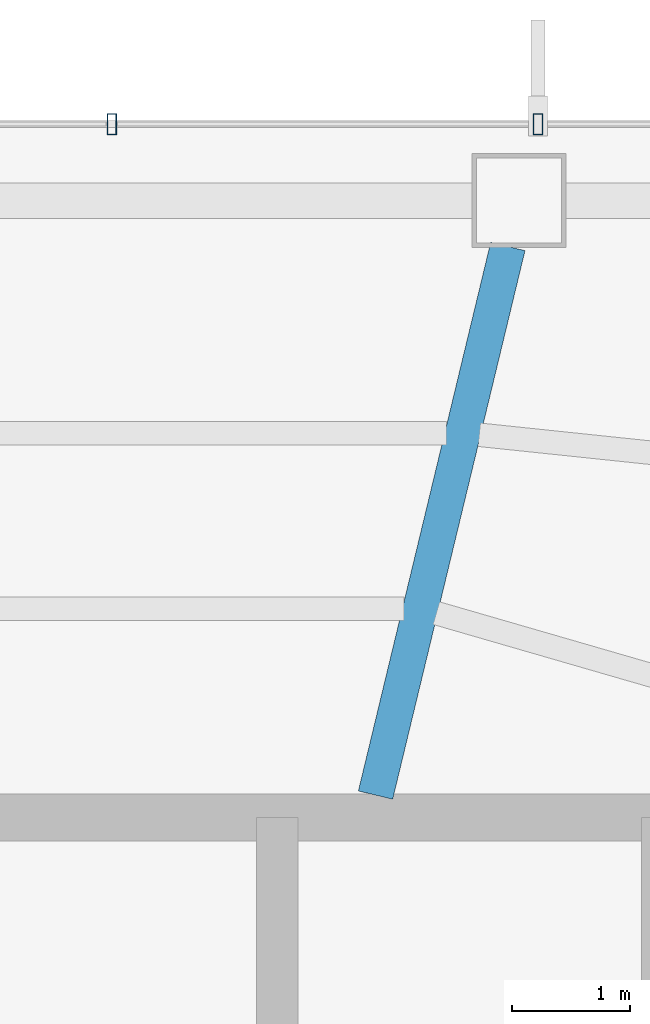
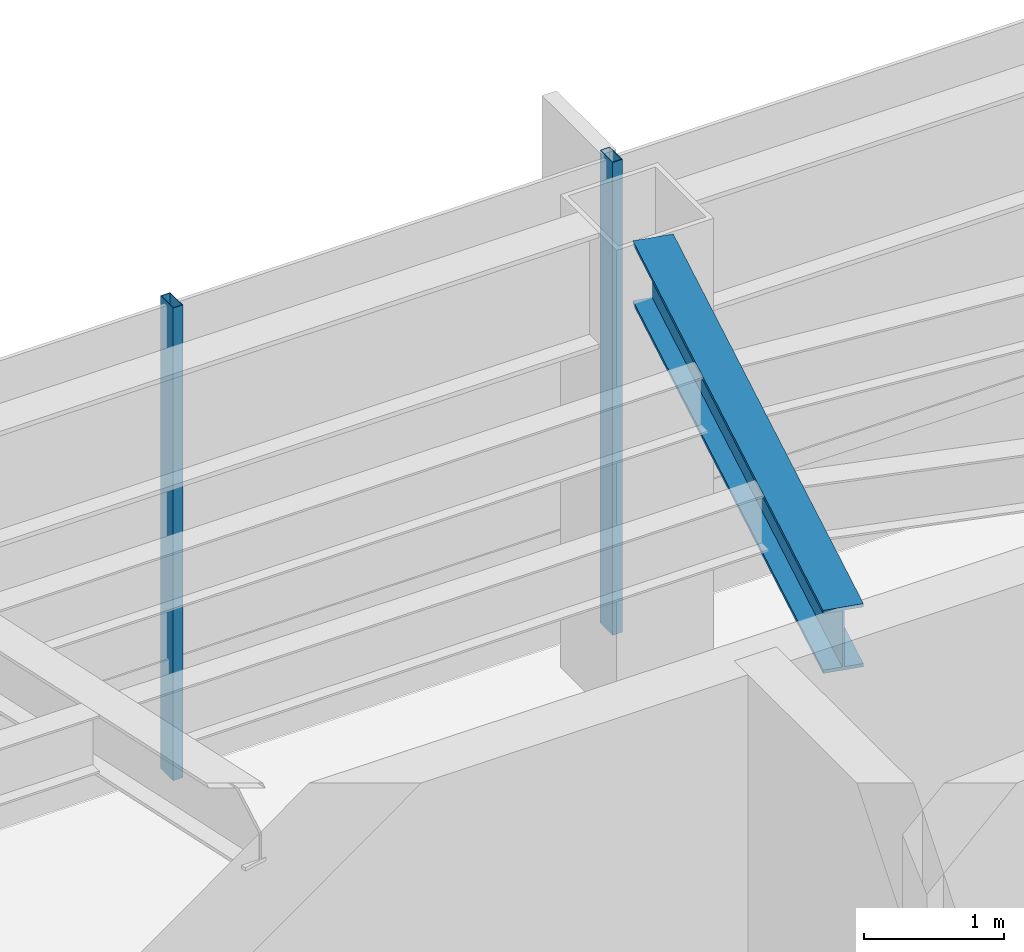
# One storey, part 14 of 27: 2 members, 1 beam, 1 element without a shape of its own.
"""IFC4 building model written with IfcOpenShell, lengths in metres."""

from ifc_helpers import new_model, si_unit, direction, frame, origin, origin_2d, place, context, subcontext, project, spatial, hollow_rectangle, i_section, extrude, material, layer, layer_set, material_profile, profile_set, type_object, element, aggregate, save


model = new_model("IFC4")

# Units and contexts
model_context = context("Model", 3, precision=1e-05, world=origin(), true_north=direction((0.0, 1.0)))
body_context = subcontext(model_context, "Body", "Model", "MODEL_VIEW")
ifc_project = project(units=[si_unit("LENGTHUNIT", "METRE"), si_unit("AREAUNIT", "SQUARE_METRE"), si_unit("VOLUMEUNIT", "CUBIC_METRE"), si_unit("PLANEANGLEUNIT", "RADIAN"), si_unit("MASSUNIT", "GRAM", prefix="KILO")], contexts=[model_context])

# Site, building, storey
site_placement = place(None, origin())
site = spatial("IfcSite", under=ifc_project, at=site_placement, CompositionType="ELEMENT")
building_placement = place(site_placement, origin())
building = spatial("IfcBuilding", under=site, at=building_placement, Name="Zarrinselat Tower", CompositionType="ELEMENT")
storey_placement = place(building_placement, frame((0.0, 0.0, 114.580078125)))
storey = spatial("IfcBuildingStorey", under=building, at=storey_placement, Name="L27", CompositionType="ELEMENT", Elevation=114.580078125)

# Beam
ifc_material_1 = material(Name="Steel S355J2", Category="steel")
ifc_material_profile_1 = material_profile(ifc_material_1, i_section(OverallWidth=0.300048828125, OverallDepth=0.550048828125, WebThickness=0.014892578125, FlangeThickness=0.029052734375, at=origin_2d()), Name="HEB 550")
ifc_profile_set_1 = profile_set([ifc_material_profile_1], Name="Steel S355J2")
beam_type = type_object("IfcBeamType", Name="BM-HEB550", PredefinedType="BEAM", material=ifc_profile_set_1)
beam_placement = place(storey_placement, frame((45.800048828125, 43.639892578125, 3.844970703125), z_axis=(0.234492954539, 0.972117819131, 0.0), x_axis=(-0.972117819131, 0.234492954539, 0.0)))
element("IfcBeam", 1, at=beam_placement, inside=storey, type_object=beam_type, Name="L27 Radial Primary Girder RG02", PredefinedType="BEAM", context=body_context, shape_type="SweptSolid", body=[
    extrude(i_section(OverallWidth=0.300048828125, OverallDepth=0.550048828125, WebThickness=0.014892578125, FlangeThickness=0.029052734375, at=origin_2d()), origin(), (0.0, 0.0, 1.0), 4.797607421875),
])

# Curtain wall, members
ifc_material_2 = material(Name="Extruded Aluminium Alloy EN AW-6063 T6", Category="aluminium")
ifc_layer = layer(ifc_material_2, 0.195068359375)
ifc_layer_set = layer_set([ifc_layer], Name="Extruded Aluminium Alloy EN AW-6063 T6")
curtain_wall_type = type_object("IfcCurtainWallType", Name="CWS-GDN", PredefinedType="NOTDEFINED", material=ifc_layer_set)
curtain_wall_placement = place(storey_placement, origin())
curtain_wall = element("IfcCurtainWall", 2, at=curtain_wall_placement, inside=storey, type_object=curtain_wall_type, Name="L27 Unitised Curtain Wall CW-L27-E04", PredefinedType="NOTDEFINED")
ifc_material_3 = material(Name="Extruded Aluminium Alloy EN AW-6063 T6", Category="aluminium")
ifc_material_profile_2 = material_profile(ifc_material_3, hollow_rectangle(XDim=0.080078125, YDim=0.179931640625, WallThickness=0.0048828125, at=origin_2d()), Name="RHS 180x80x5")
ifc_profile_set_2 = profile_set([ifc_material_profile_2], Name="Extruded Aluminium Alloy EN AW-6063 T6")
member_type = type_object("IfcMemberType", Name="MEM-CW-MUL", PredefinedType="MULLION", material=ifc_profile_set_2)
member_1_placement = place(storey_placement, frame((43.55810546875, 49.344482421875, 0.0), z_axis=(0.0, 0.0, 1.0), x_axis=(1.0, 0.0, 0.0)))
member_1 = element("IfcMember", 3, at=member_1_placement, type_object=member_type, Name="CW-L27-E04 Mullion 6", PredefinedType="MULLION", context=body_context, shape_type="SweptSolid", body=[
    extrude(hollow_rectangle(XDim=0.080078125, YDim=0.179931640625, WallThickness=0.0048828125, at=origin_2d()), origin(), (0.0, 0.0, 1.0), 4.119873046875),
])
member_2_placement = place(storey_placement, frame((47.180908203125, 49.344482421875, 0.0), z_axis=(0.0, 0.0, 1.0), x_axis=(1.0, 0.0, 0.0)))
member_2 = element("IfcMember", 4, at=member_2_placement, type_object=member_type, Name="CW-L27-E04 Mullion 7", PredefinedType="MULLION", context=body_context, shape_type="SweptSolid", body=[
    extrude(hollow_rectangle(XDim=0.080078125, YDim=0.179931640625, WallThickness=0.0048828125, at=origin_2d()), origin(), (0.0, 0.0, 1.0), 4.119873046875),
])
aggregate(curtain_wall, [member_1, member_2])

save(model, "model.ifc")
